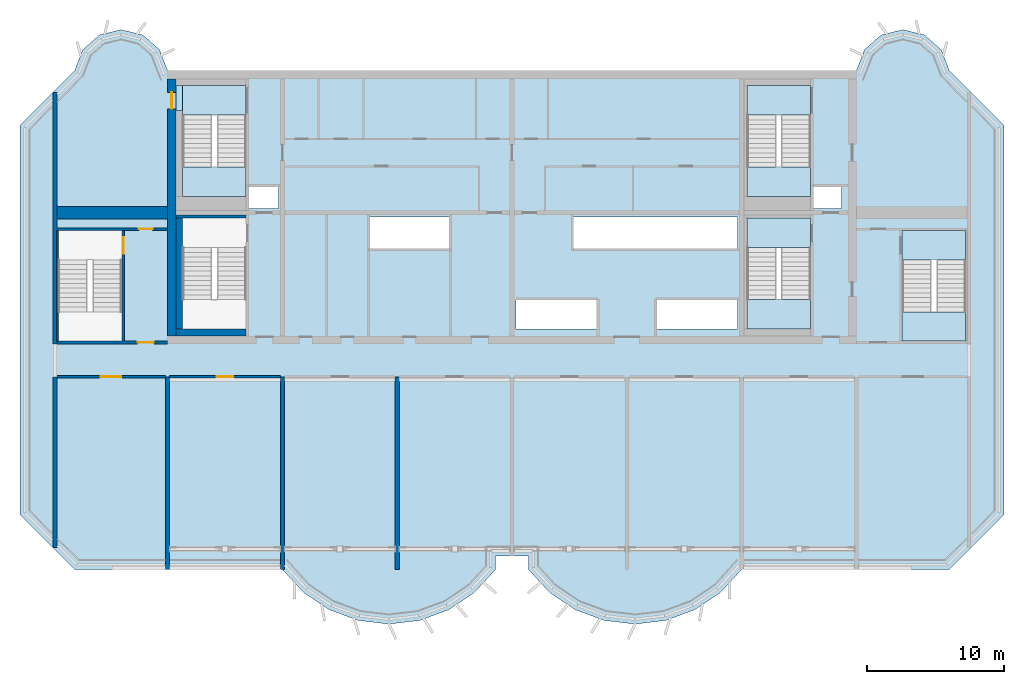
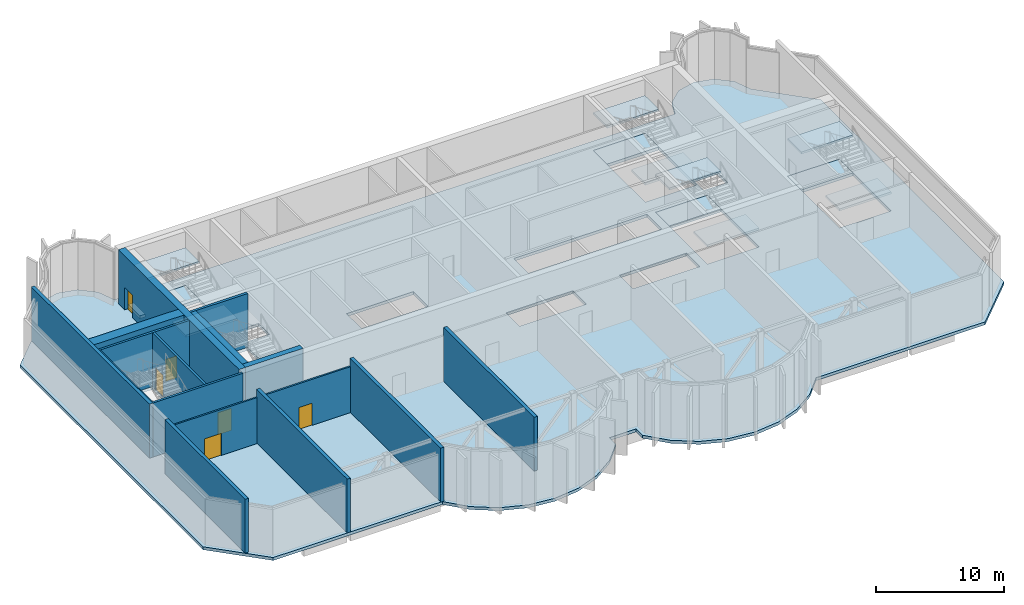
# One storey, part 2 of 11: 16 walls, 14 slabs, 6 doors, 6 openings, 4 elements without a shape of their own.
"""IFC4 building model written with IfcOpenShell, lengths in metres."""

from ifc_helpers import new_model, si_unit, direction, frame, frame_2d, origin, place, context, subcontext, project, spatial, polyline, rectangle, outline, extrude, source, transform, mapped, material, layer, layer_set, type_object, element, fill, aggregate, save


model = new_model("IFC4")

# Units and contexts
model_context = context("Model", 3, precision=1e-05, world=origin(), true_north=direction((0.0, 1.0)))
body_context = subcontext(model_context, "Body", "Model", "MODEL_VIEW")
ifc_project = project(units=[si_unit("LENGTHUNIT", "METRE"), si_unit("AREAUNIT", "SQUARE_METRE"), si_unit("VOLUMEUNIT", "CUBIC_METRE"), si_unit("PLANEANGLEUNIT", "RADIAN"), si_unit("MASSUNIT", "GRAM", prefix="KILO")], contexts=[model_context])

# Site, building, storey
site_placement = place(None, origin())
site = spatial("IfcSite", under=ifc_project, at=site_placement, CompositionType="ELEMENT")
building_placement = place(site_placement, origin())
building = spatial("IfcBuilding", under=site, at=building_placement, Name="Vanashikhar Sky Hotel", CompositionType="ELEMENT")
storey_placement = place(building_placement, frame((0.0, 0.0, 264.699951171875)))
storey = spatial("IfcBuildingStorey", under=building, at=storey_placement, Name="L64", CompositionType="ELEMENT", Elevation=264.699951171875)

# Slabs
ifc_material_1 = material(Name="Concrete M40", Category="concrete")
ifc_layer_1 = layer(ifc_material_1, 0.280029296875)
ifc_layer_set_1 = layer_set([ifc_layer_1], Name="Floor slab 280 mm")
slab_type_1 = type_object("IfcSlabType", Name="Floor slab 280 mm", PredefinedType="FLOOR", material=ifc_layer_set_1)
shared_shape_1 = source(origin(), body_context, "Body", "SweptSolid", [
    extrude(outline(polyline([(49.199951171875, 5.5), (49.199951171875, 6.5), (51.60009765625, 6.5), (51.60009765625, 5.5), (53.133056640625, 3.825927734375), (55.01708984375, 2.55810546875), (57.14599609375, 1.76806640625), (59.39990234375, 1.5), (61.654052734375, 1.76806640625), (63.782958984375, 2.55810546875), (65.6669921875, 3.825927734375), (67.199951171875, 5.5), (82.39990234375, 5.5), (86.39990234375, 9.5), (86.39990234375, 38.0), (82.39990234375, 42.0), (81.81494140625, 43.527099609375), (80.587890625, 44.610107421875), (79.0, 45.0), (77.412109375, 44.610107421875), (76.18505859375, 43.527099609375), (75.60009765625, 42.0), (25.199951171875, 42.0), (24.614990234375, 43.527099609375), (23.387939453125, 44.610107421875), (21.800048828125, 45.0), (20.2119140625, 44.610107421875), (18.985107421875, 43.527099609375), (18.39990234375, 42.0), (14.39990234375, 38.0), (14.39990234375, 9.5), (18.39990234375, 5.5), (33.60009765625, 5.5), (35.133056640625, 3.825927734375), (37.01708984375, 2.55810546875), (39.14599609375, 1.76806640625), (41.39990234375, 1.5), (43.654052734375, 1.76806640625), (45.782958984375, 2.55810546875), (47.6669921875, 3.825927734375), (49.199951171875, 5.5)]), holes=[polyline([(33.300048828125, 33.60009765625), (31.050048828125, 33.60009765625), (31.050048828125, 31.89990234375), (33.300048828125, 31.89990234375), (33.300048828125, 33.60009765625)]), polyline([(39.89990234375, 31.300048828125), (39.89990234375, 29.0), (45.89990234375, 29.0), (45.89990234375, 31.300048828125), (39.89990234375, 31.300048828125)]), polyline([(50.699951171875, 25.199951171875), (50.699951171875, 23.10009765625), (56.699951171875, 23.10009765625), (56.699951171875, 25.199951171875), (50.699951171875, 25.199951171875)]), polyline([(66.89990234375, 29.0), (66.89990234375, 31.300048828125), (54.89990234375, 31.300048828125), (54.89990234375, 29.0), (66.89990234375, 29.0)]), polyline([(60.89990234375, 25.199951171875), (60.89990234375, 23.10009765625), (66.89990234375, 23.10009765625), (66.89990234375, 25.199951171875), (60.89990234375, 25.199951171875)]), polyline([(74.5, 33.60009765625), (72.35009765625, 33.60009765625), (72.35009765625, 31.89990234375), (74.5, 31.89990234375), (74.5, 33.60009765625)]), polyline([(30.949951171875, 23.10009765625), (30.949951171875, 31.199951171875), (26.300048828125, 31.199951171875), (26.300048828125, 23.10009765625), (30.949951171875, 23.10009765625)]), polyline([(72.25, 23.10009765625), (72.25, 31.199951171875), (67.60009765625, 31.199951171875), (67.60009765625, 23.10009765625), (72.25, 23.10009765625)]), polyline([(25.800048828125, 40.90087890625), (25.800048828125, 39.09912109375), (26.300048828125, 39.09912109375), (26.300048828125, 32.800048828125), (30.949951171875, 32.800048828125), (30.949951171875, 40.89990234375), (25.800048828125, 40.90087890625)]), polyline([(72.25, 32.800048828125), (72.25, 40.89990234375), (67.60009765625, 40.89990234375), (67.60009765625, 32.800048828125), (72.25, 32.800048828125)]), polyline([(83.60009765625, 22.199951171875), (83.60009765625, 30.300048828125), (78.949951171875, 30.300048828125), (78.949951171875, 22.199951171875), (83.60009765625, 22.199951171875)]), polyline([(21.85009765625, 22.199951171875), (21.85009765625, 30.300048828125), (17.199951171875, 30.300048828125), (17.199951171875, 22.199951171875), (21.85009765625, 22.199951171875)])]), origin(), (0.0, 0.0, 1.0), 0.280029296875),
])
slab_1_placement = place(storey_placement, frame((0.0, 0.0, -0.280029296875)))
element("IfcSlab", 1, at=slab_1_placement, inside=storey, type_object=slab_type_1, Name="Floor slab L64", PredefinedType="FLOOR", context=body_context, shape_type="MappedRepresentation", body=[
    mapped(shared_shape_1, transform((0.0, 0.0, 0.0), scale=1.0)),
])
ifc_layer_2 = layer(ifc_material_1, 0.280029296875)
ifc_layer_set_2 = layer_set([ifc_layer_2], Name="Stair floor landing 280")
slab_type_2 = type_object("IfcSlabType", Name="Stair floor landing 280", PredefinedType="LANDING", material=ifc_layer_set_2)
shared_shape_2 = source(origin(), body_context, "Body", "SweptSolid", [
    extrude(outline(polyline([(25.800048828125, 39.10009765625), (26.300048828125, 39.10009765625), (26.300048828125, 40.89990234375), (25.800048828125, 40.89990234375), (25.800048828125, 39.10009765625)])), origin(), (0.0, 0.0, 1.0), 0.280029296875),
])
slab_2_placement = place(storey_placement, frame((0.0, 0.0, -0.280029296875)))
element("IfcSlab", 2, at=slab_2_placement, inside=storey, type_object=slab_type_2, Name="Stair floor landing", PredefinedType="LANDING", context=body_context, shape_type="MappedRepresentation", body=[
    mapped(shared_shape_2, transform((0.0, 0.0, 0.0), scale=1.0)),
])

# Stair, slabs
stair_type = type_object("IfcStairType", Name="Exit stair 2150", PredefinedType="DOUBLE_RETURN_STAIR", material=ifc_material_1)
stair_1_placement = place(storey_placement, origin())
stair_1 = element("IfcStair", 3, at=stair_1_placement, inside=storey, type_object=stair_type, Name="L64 Exit stair 2", PredefinedType="DOUBLE_RETURN_STAIR")
ifc_layer_3 = layer(ifc_material_1, 0.199951171875)
ifc_layer_set_3 = layer_set([ifc_layer_3], Name="Stair landing 200")
slab_type_3 = type_object("IfcSlabType", Name="Stair landing 200", PredefinedType="LANDING", material=ifc_layer_set_3)
shared_shape_3 = source(origin(), body_context, "Body", "SweptSolid", [
    extrude(outline(polyline([(72.25, 29.050048828125), (72.25, 31.199951171875), (67.60009765625, 31.199951171875), (67.60009765625, 29.050048828125), (72.25, 29.050048828125)])), origin(), (0.0, 0.0, 1.0), 0.199951171875),
])
slab_3_placement = place(storey_placement, frame((0.0, 0.0, 3.400146484375)))
slab_3 = element("IfcSlab", 4, at=slab_3_placement, type_object=slab_type_3, Name="ST-C2 landing 2", PredefinedType="LANDING", context=body_context, shape_type="MappedRepresentation", body=[
    mapped(shared_shape_3, transform((0.0, 0.0, 0.0), scale=1.0)),
])
shared_shape_4 = source(origin(), body_context, "Body", "SweptSolid", [
    extrude(outline(polyline([(72.25, 23.10009765625), (72.25, 25.25), (67.60009765625, 25.25), (67.60009765625, 23.10009765625), (72.25, 23.10009765625)])), origin(), (0.0, 0.0, 1.0), 0.199951171875),
])
slab_4_placement = place(storey_placement, frame((0.0, 0.0, 1.60009765625)))
slab_4 = element("IfcSlab", 5, at=slab_4_placement, type_object=slab_type_3, Name="ST-C2 landing 1", PredefinedType="LANDING", context=body_context, shape_type="MappedRepresentation", body=[
    mapped(shared_shape_4, transform((0.0, 0.0, 0.0), scale=1.0)),
])
aggregate(stair_1, [slab_4, slab_3])

# Slab
shared_shape_5 = source(origin(), body_context, "Body", "SweptSolid", [
    extrude(outline(polyline([(72.25, 29.050048828125), (72.25, 31.199951171875), (67.60009765625, 31.199951171875), (67.60009765625, 29.050048828125), (72.25, 29.050048828125)])), origin(), (0.0, 0.0, 1.0), 0.280029296875),
])
slab_5_placement = place(storey_placement, frame((0.0, 0.0, -0.280029296875)))
element("IfcSlab", 6, at=slab_5_placement, inside=storey, type_object=slab_type_2, Name="Exit stair 2 floor landing", PredefinedType="LANDING", context=body_context, shape_type="MappedRepresentation", body=[
    mapped(shared_shape_5, transform((0.0, 0.0, 0.0), scale=1.0)),
])

# Stair, slabs
stair_2_placement = place(storey_placement, origin())
stair_2 = element("IfcStair", 7, at=stair_2_placement, inside=storey, type_object=stair_type, Name="L64 Exit stair 4", PredefinedType="DOUBLE_RETURN_STAIR")
shared_shape_6 = source(origin(), body_context, "Body", "SweptSolid", [
    extrude(outline(polyline([(83.60009765625, 28.14990234375), (83.60009765625, 30.300048828125), (78.949951171875, 30.300048828125), (78.949951171875, 28.14990234375), (83.60009765625, 28.14990234375)])), origin(), (0.0, 0.0, 1.0), 0.199951171875),
])
slab_6_placement = place(storey_placement, frame((0.0, 0.0, 3.400146484375)))
slab_6 = element("IfcSlab", 8, at=slab_6_placement, type_object=slab_type_3, Name="ST-E landing 2", PredefinedType="LANDING", context=body_context, shape_type="MappedRepresentation", body=[
    mapped(shared_shape_6, transform((0.0, 0.0, 0.0), scale=1.0)),
])
shared_shape_7 = source(origin(), body_context, "Body", "SweptSolid", [
    extrude(outline(polyline([(83.60009765625, 22.199951171875), (83.60009765625, 24.35009765625), (78.949951171875, 24.35009765625), (78.949951171875, 22.199951171875), (83.60009765625, 22.199951171875)])), origin(), (0.0, 0.0, 1.0), 0.199951171875),
])
slab_7_placement = place(storey_placement, frame((0.0, 0.0, 1.60009765625)))
slab_7 = element("IfcSlab", 9, at=slab_7_placement, type_object=slab_type_3, Name="ST-E landing 1", PredefinedType="LANDING", context=body_context, shape_type="MappedRepresentation", body=[
    mapped(shared_shape_7, transform((0.0, 0.0, 0.0), scale=1.0)),
])
aggregate(stair_2, [slab_7, slab_6])

# Slab
shared_shape_8 = source(origin(), body_context, "Body", "SweptSolid", [
    extrude(outline(polyline([(83.60009765625, 28.14990234375), (83.60009765625, 30.300048828125), (78.949951171875, 30.300048828125), (78.949951171875, 28.14990234375), (83.60009765625, 28.14990234375)])), origin(), (0.0, 0.0, 1.0), 0.280029296875),
])
slab_8_placement = place(storey_placement, frame((0.0, 0.0, -0.280029296875)))
element("IfcSlab", 10, at=slab_8_placement, inside=storey, type_object=slab_type_2, Name="Exit stair 4 floor landing", PredefinedType="LANDING", context=body_context, shape_type="MappedRepresentation", body=[
    mapped(shared_shape_8, transform((0.0, 0.0, 0.0), scale=1.0)),
])

# Stair, slabs
stair_3_placement = place(storey_placement, origin())
stair_3 = element("IfcStair", 11, at=stair_3_placement, inside=storey, type_object=stair_type, Name="L64 Exit stair 5", PredefinedType="DOUBLE_RETURN_STAIR")
shared_shape_9 = source(origin(), body_context, "Body", "SweptSolid", [
    extrude(outline(polyline([(30.949951171875, 38.75), (30.949951171875, 40.89990234375), (26.300048828125, 40.89990234375), (26.300048828125, 38.75), (30.949951171875, 38.75)])), origin(), (0.0, 0.0, 1.0), 0.199951171875),
])
slab_9_placement = place(storey_placement, frame((0.0, 0.0, 3.400146484375)))
slab_9 = element("IfcSlab", 12, at=slab_9_placement, type_object=slab_type_3, Name="ST-C3 landing 2", PredefinedType="LANDING", context=body_context, shape_type="MappedRepresentation", body=[
    mapped(shared_shape_9, transform((0.0, 0.0, 0.0), scale=1.0)),
])
shared_shape_10 = source(origin(), body_context, "Body", "SweptSolid", [
    extrude(outline(polyline([(30.949951171875, 32.800048828125), (30.949951171875, 34.949951171875), (26.300048828125, 34.949951171875), (26.300048828125, 32.800048828125), (30.949951171875, 32.800048828125)])), origin(), (0.0, 0.0, 1.0), 0.199951171875),
])
slab_10_placement = place(storey_placement, frame((0.0, 0.0, 1.60009765625)))
slab_10 = element("IfcSlab", 13, at=slab_10_placement, type_object=slab_type_3, Name="ST-C3 landing 1", PredefinedType="LANDING", context=body_context, shape_type="MappedRepresentation", body=[
    mapped(shared_shape_10, transform((0.0, 0.0, 0.0), scale=1.0)),
])
aggregate(stair_3, [slab_10, slab_9])

# Slab
shared_shape_11 = source(origin(), body_context, "Body", "SweptSolid", [
    extrude(outline(polyline([(30.949951171875, 38.75), (30.949951171875, 40.89990234375), (26.300048828125, 40.89990234375), (26.300048828125, 38.75), (30.949951171875, 38.75)])), origin(), (0.0, 0.0, 1.0), 0.280029296875),
])
slab_11_placement = place(storey_placement, frame((0.0, 0.0, -0.280029296875)))
element("IfcSlab", 14, at=slab_11_placement, inside=storey, type_object=slab_type_2, Name="Exit stair 5 floor landing", PredefinedType="LANDING", context=body_context, shape_type="MappedRepresentation", body=[
    mapped(shared_shape_11, transform((0.0, 0.0, 0.0), scale=1.0)),
])

# Stair, slabs
stair_4_placement = place(storey_placement, origin())
stair_4 = element("IfcStair", 15, at=stair_4_placement, inside=storey, type_object=stair_type, Name="L64 Exit stair 6", PredefinedType="DOUBLE_RETURN_STAIR")
shared_shape_12 = source(origin(), body_context, "Body", "SweptSolid", [
    extrude(outline(polyline([(72.25, 38.75), (72.25, 40.89990234375), (67.60009765625, 40.89990234375), (67.60009765625, 38.75), (72.25, 38.75)])), origin(), (0.0, 0.0, 1.0), 0.199951171875),
])
slab_12_placement = place(storey_placement, frame((0.0, 0.0, 3.400146484375)))
slab_12 = element("IfcSlab", 16, at=slab_12_placement, type_object=slab_type_3, Name="ST-C4 landing 2", PredefinedType="LANDING", context=body_context, shape_type="MappedRepresentation", body=[
    mapped(shared_shape_12, transform((0.0, 0.0, 0.0), scale=1.0)),
])
shared_shape_13 = source(origin(), body_context, "Body", "SweptSolid", [
    extrude(outline(polyline([(72.25, 32.800048828125), (72.25, 34.949951171875), (67.60009765625, 34.949951171875), (67.60009765625, 32.800048828125), (72.25, 32.800048828125)])), origin(), (0.0, 0.0, 1.0), 0.199951171875),
])
slab_13_placement = place(storey_placement, frame((0.0, 0.0, 1.60009765625)))
slab_13 = element("IfcSlab", 17, at=slab_13_placement, type_object=slab_type_3, Name="ST-C4 landing 1", PredefinedType="LANDING", context=body_context, shape_type="MappedRepresentation", body=[
    mapped(shared_shape_13, transform((0.0, 0.0, 0.0), scale=1.0)),
])
aggregate(stair_4, [slab_13, slab_12])

# Slab
shared_shape_14 = source(origin(), body_context, "Body", "SweptSolid", [
    extrude(outline(polyline([(72.25, 38.75), (72.25, 40.89990234375), (67.60009765625, 40.89990234375), (67.60009765625, 38.75), (72.25, 38.75)])), origin(), (0.0, 0.0, 1.0), 0.280029296875),
])
slab_14_placement = place(storey_placement, frame((0.0, 0.0, -0.280029296875)))
element("IfcSlab", 18, at=slab_14_placement, inside=storey, type_object=slab_type_2, Name="Exit stair 6 floor landing", PredefinedType="LANDING", context=body_context, shape_type="MappedRepresentation", body=[
    mapped(shared_shape_14, transform((0.0, 0.0, 0.0), scale=1.0)),
])

# Walls
ifc_material_2 = material(Name="Concrete M60", Category="concrete")
ifc_layer_4 = layer(ifc_material_2, 0.300048828125)
ifc_layer_set_4 = layer_set([ifc_layer_4], Name="RC shear wall 300 Concrete M60")
wall_type_1 = type_object("IfcWallType", Name="RC shear wall 300 Concrete M60", PredefinedType="SHEAR", material=ifc_layer_set_4)
shared_shape_15 = source(origin(), body_context, "Body", "SweptSolid", [
    extrude(rectangle(XDim=14.10009765625, YDim=0.300048828125, at=frame_2d((7.050048828125, 0.0))), origin(), (0.0, 0.0, 1.0), 5.1201171875),
])
for number, where, z_axis, x_axis, name in (
    (19, (25.199951171875, 5.5, 0.0), (0.0, 0.0, 1.0), (0.0, 1.0, 0.0), "CW-L64-XW04-1"),
    (20, (33.60009765625, 5.5, 0.0), (0.0, 0.0, 1.0), (0.0, 1.0, 0.0), "CW-L64-XW05-1"),
    (21, (42.0, 5.5, 0.0), (0.0, 0.0, 1.0), (0.0, 1.0, 0.0), "CW-L64-XW06-1"),
):
    element("IfcWall", number, at=place(storey_placement, frame(where, z_axis=z_axis, x_axis=x_axis)), inside=storey, type_object=wall_type_1, Name=name, PredefinedType="SHEAR", context=body_context, shape_type="MappedRepresentation", body=[
        mapped(shared_shape_15, transform((0.0, 0.0, 0.0), scale=1.0)),
    ])

# Wall, opening, door
ifc_layer_5 = layer(ifc_material_2, 0.60009765625)
ifc_layer_set_5 = layer_set([ifc_layer_5], Name="RC core shell wall 600 Concrete M60")
wall_type_2 = type_object("IfcWallType", Name="RC core shell wall 600 Concrete M60", PredefinedType="SHEAR", material=ifc_layer_set_5)
shared_shape_16 = source(origin(), body_context, "Body", "SweptSolid", [
    extrude(rectangle(XDim=18.7998046875, YDim=0.60009765625, at=frame_2d((9.39990234375, 0.0))), origin(), (0.0, 0.0, 1.0), 5.1201171875),
])
wall_1_placement = place(storey_placement, frame((25.5, 22.60009765625, 0.0), z_axis=(0.0, 0.0, 1.0), x_axis=(0.0, 1.0, 0.0)))
wall_1 = element("IfcWall", 22, at=wall_1_placement, inside=storey, type_object=wall_type_2, Name="KW-L64-KW", PredefinedType="SHEAR", context=body_context, shape_type="MappedRepresentation", body=[
    mapped(shared_shape_16, transform((0.0, 0.0, 0.0), scale=1.0)),
])
shared_shape_17 = source(origin(), body_context, "Body", "SweptSolid", [
    extrude(rectangle(XDim=1.199951171875, YDim=2.10009765625, at=frame_2d((0.60009765625, 1.050048828125))), frame((0.0, 0.31005859375, 0.0), z_axis=(0.0, -1.0, 0.0), x_axis=(1.0, 0.0, 0.0)), (0.0, 0.0, 1.0), 0.6201171875),
])
opening_1_placement = place(wall_1_placement, frame((16.60009765625, 0.0, 0.0)))
opening_1 = element("IfcOpeningElement", 23, at=opening_1_placement, cuts=wall_1, Name="Opening DC-4-D", PredefinedType="OPENING", context=body_context, shape_type="MappedRepresentation", body=[
    mapped(shared_shape_17, transform((0.0, 0.0, 0.0), scale=1.0)),
])
ifc_material_3 = material(Name="Steel", Category="steel")
door_type_1 = type_object("IfcDoorType", Name="Service door 1200 FD120", OperationType="NOTDEFINED", PredefinedType="DOOR", material=ifc_material_3)
shared_shape_18 = source(origin(), body_context, "Body", "SweptSolid", [
    extrude(rectangle(XDim=1.199951171875, YDim=2.10009765625, at=frame_2d((0.60009765625, 1.050048828125))), frame((0.0, 0.02490234375, 0.0), z_axis=(0.0, -1.0, 0.0), x_axis=(1.0, 0.0, 0.0)), (0.0, 0.0, 1.0), 0.050048828125),
])
door_1_placement = place(opening_1_placement, origin())
door_1 = element("IfcDoor", 24, at=door_1_placement, inside=storey, type_object=door_type_1, Name="Service door 1200 FD120", OperationType="SINGLE_SWING_RIGHT", OverallHeight=2.10009765625, OverallWidth=1.199951171875, PredefinedType="DOOR", context=body_context, shape_type="MappedRepresentation", body=[
    mapped(shared_shape_18, transform((0.0, 0.0, 0.0), scale=1.0)),
])
fill(opening_1, door_1)

# Walls
shared_shape_19 = source(origin(), body_context, "Body", "SweptSolid", [
    extrude(rectangle(XDim=12.5, YDim=0.300048828125, at=frame_2d((6.25, 0.0))), origin(), (0.0, 0.0, 1.0), 5.1201171875),
])
wall_2_placement = place(storey_placement, frame((16.949951171875, 7.10009765625, 0.0), z_axis=(0.0, 0.0, 1.0), x_axis=(0.0, 1.0, 0.0)))
element("IfcWall", 25, at=wall_2_placement, inside=storey, type_object=wall_type_1, Name="CW-L64-XW03-1", PredefinedType="SHEAR", context=body_context, shape_type="MappedRepresentation", body=[
    mapped(shared_shape_19, transform((0.0, 0.0, 0.0), scale=1.0)),
])
shared_shape_20 = source(origin(), body_context, "Body", "SweptSolid", [
    extrude(rectangle(XDim=18.39990234375, YDim=0.300048828125, at=frame_2d((9.199951171875, 0.0))), origin(), (0.0, 0.0, 1.0), 5.1201171875),
])
wall_3_placement = place(storey_placement, frame((16.949951171875, 22.0, 0.0), z_axis=(0.0, 0.0, 1.0), x_axis=(0.0, 1.0, 0.0)))
element("IfcWall", 26, at=wall_3_placement, inside=storey, type_object=wall_type_1, Name="CW-L64-XW03-2", PredefinedType="SHEAR", context=body_context, shape_type="MappedRepresentation", body=[
    mapped(shared_shape_20, transform((0.0, 0.0, 0.0), scale=1.0)),
])
ifc_layer_6 = layer(ifc_material_2, 0.89990234375)
ifc_layer_set_6 = layer_set([ifc_layer_6], Name="RC outrigger wall 900 Concrete M60")
wall_type_3 = type_object("IfcWallType", Name="RC outrigger wall 900 Concrete M60", PredefinedType="SHEAR", material=ifc_layer_set_6)
shared_shape_21 = source(origin(), body_context, "Body", "SweptSolid", [
    extrude(rectangle(XDim=8.099853515625, YDim=0.89990234375, at=frame_2d((4.0498046875, 0.0))), origin(), (0.0, 0.0, 1.0), 5.1201171875),
])
wall_4_placement = place(storey_placement, frame((17.10009765625, 31.60009765625, 0.0), z_axis=(0.0, 0.0, 1.0), x_axis=(1.0, 0.0, 0.0)))
element("IfcWall", 27, at=wall_4_placement, inside=storey, type_object=wall_type_3, Name="OW-L64-01", PredefinedType="SHEAR", context=body_context, shape_type="MappedRepresentation", body=[
    mapped(shared_shape_21, transform((0.0, 0.0, 0.0), scale=1.0)),
])

# Wall, opening, door
ifc_material_4 = material(Name="Concrete M50", Category="concrete")
ifc_layer_7 = layer(ifc_material_4, 0.199951171875)
ifc_layer_set_7 = layer_set([ifc_layer_7], Name="Stair wall 200")
wall_type_4 = type_object("IfcWallType", Name="Stair wall 200", PredefinedType="SOLIDWALL", material=ifc_layer_set_7)
shared_shape_22 = source(origin(), body_context, "Body", "SweptSolid", [
    extrude(rectangle(XDim=8.2998046875, YDim=0.199951171875, at=frame_2d((4.14990234375, 0.0))), origin(), (0.0, 0.0, 1.0), 5.1201171875),
])
wall_5_placement = place(storey_placement, frame((21.949951171875, 22.10009765625, 0.0), z_axis=(0.0, 0.0, 1.0), x_axis=(0.0, 1.0, 0.0)))
wall_5 = element("IfcWall", 28, at=wall_5_placement, inside=storey, type_object=wall_type_4, Name="Stair wall 200", PredefinedType="SOLIDWALL", context=body_context, shape_type="MappedRepresentation", body=[
    mapped(shared_shape_22, transform((0.0, 0.0, 0.0), scale=1.0)),
])
shared_shape_23 = source(origin(), body_context, "Body", "SweptSolid", [
    extrude(rectangle(XDim=1.199951171875, YDim=2.10009765625, at=frame_2d((0.60009765625, 1.050048828125))), frame((0.0, 0.10986328125, 0.0), z_axis=(0.0, -1.0, 0.0), x_axis=(1.0, 0.0, 0.0)), (0.0, 0.0, 1.0), 0.219970703125),
])
opening_2_placement = place(wall_5_placement, frame((6.5, 0.0, 0.0)))
opening_2 = element("IfcOpeningElement", 29, at=opening_2_placement, cuts=wall_5, Name="Opening DC-1", PredefinedType="OPENING", context=body_context, shape_type="MappedRepresentation", body=[
    mapped(shared_shape_23, transform((0.0, 0.0, 0.0), scale=1.0)),
])
door_type_2 = type_object("IfcDoorType", Name="Stair door 1200 FD120", OperationType="NOTDEFINED", PredefinedType="DOOR", material=ifc_material_3)
door_2_placement = place(opening_2_placement, origin())
door_2 = element("IfcDoor", 30, at=door_2_placement, inside=storey, type_object=door_type_2, Name="Stair door 1200 FD120", OperationType="SINGLE_SWING_RIGHT", OverallHeight=2.10009765625, OverallWidth=1.199951171875, PredefinedType="DOOR", context=body_context, shape_type="MappedRepresentation", body=[
    mapped(shared_shape_18, transform((0.0, 0.0, 0.0), scale=1.0)),
])
fill(opening_2, door_2)

shared_shape_24 = source(origin(), body_context, "Body", "SweptSolid", [
    extrude(rectangle(XDim=8.099853515625, YDim=0.199951171875, at=frame_2d((4.0498046875, 0.0))), origin(), (0.0, 0.0, 1.0), 5.1201171875),
])
wall_6_placement = place(storey_placement, frame((17.10009765625, 22.10009765625, 0.0), z_axis=(0.0, 0.0, 1.0), x_axis=(1.0, 0.0, 0.0)))
wall_6 = element("IfcWall", 31, at=wall_6_placement, inside=storey, type_object=wall_type_4, Name="Stair wall 200", PredefinedType="SOLIDWALL", context=body_context, shape_type="MappedRepresentation", body=[
    mapped(shared_shape_24, transform((0.0, 0.0, 0.0), scale=1.0)),
])
opening_3_placement = place(wall_6_placement, frame((5.89990234375, 0.0, 0.0)))
opening_3 = element("IfcOpeningElement", 32, at=opening_3_placement, cuts=wall_6, Name="Opening DC-2", PredefinedType="OPENING", context=body_context, shape_type="MappedRepresentation", body=[
    mapped(shared_shape_23, transform((0.0, 0.0, 0.0), scale=1.0)),
])
door_type_3 = type_object("IfcDoorType", Name="Firefighting lobby door 1200 FD120", OperationType="NOTDEFINED", PredefinedType="DOOR", material=ifc_material_3)
door_3_placement = place(opening_3_placement, origin())
door_3 = element("IfcDoor", 33, at=door_3_placement, inside=storey, type_object=door_type_3, Name="Firefighting lobby door 1200 FD120", OperationType="SINGLE_SWING_RIGHT", OverallHeight=2.10009765625, OverallWidth=1.199951171875, PredefinedType="DOOR", context=body_context, shape_type="MappedRepresentation", body=[
    mapped(shared_shape_18, transform((0.0, 0.0, 0.0), scale=1.0)),
])
fill(opening_3, door_3)

wall_7_placement = place(storey_placement, frame((25.199951171875, 30.39990234375, 0.0), z_axis=(0.0, 0.0, 1.0), x_axis=(-1.0, 0.0, 0.0)))
wall_7 = element("IfcWall", 34, at=wall_7_placement, inside=storey, type_object=wall_type_4, Name="Stair wall 200", PredefinedType="SOLIDWALL", context=body_context, shape_type="MappedRepresentation", body=[
    mapped(shared_shape_24, transform((0.0, 0.0, 0.0), scale=1.0)),
])
shared_shape_25 = source(origin(), body_context, "Body", "SweptSolid", [
    extrude(rectangle(XDim=1.0, YDim=2.10009765625, at=frame_2d((0.5, 1.050048828125))), frame((0.0, 0.10986328125, 0.0), z_axis=(0.0, -1.0, 0.0), x_axis=(1.0, 0.0, 0.0)), (0.0, 0.0, 1.0), 0.219970703125),
])
opening_4_placement = place(wall_7_placement, frame((1.10009765625, 0.0, 0.0)))
opening_4 = element("IfcOpeningElement", 35, at=opening_4_placement, cuts=wall_7, Name="Opening DC-6", PredefinedType="OPENING", context=body_context, shape_type="MappedRepresentation", body=[
    mapped(shared_shape_25, transform((0.0, 0.0, 0.0), scale=1.0)),
])
door_type_4 = type_object("IfcDoorType", Name="Pocket door 1000 FD60", OperationType="NOTDEFINED", PredefinedType="DOOR", material=ifc_material_3)
shared_shape_26 = source(origin(), body_context, "Body", "SweptSolid", [
    extrude(rectangle(XDim=1.0, YDim=2.10009765625, at=frame_2d((0.5, 1.050048828125))), frame((0.0, 0.02490234375, 0.0), z_axis=(0.0, -1.0, 0.0), x_axis=(1.0, 0.0, 0.0)), (0.0, 0.0, 1.0), 0.050048828125),
])
door_4_placement = place(opening_4_placement, origin())
door_4 = element("IfcDoor", 36, at=door_4_placement, inside=storey, type_object=door_type_4, Name="Pocket door 1000 FD60", OperationType="SINGLE_SWING_RIGHT", OverallHeight=2.10009765625, OverallWidth=1.0, PredefinedType="DOOR", context=body_context, shape_type="MappedRepresentation", body=[
    mapped(shared_shape_26, transform((0.0, 0.0, 0.0), scale=1.0)),
])
fill(opening_4, door_4)

# Walls
ifc_layer_8 = layer(ifc_material_4, 0.5)
ifc_layer_set_8 = layer_set([ifc_layer_8], Name="Stair infill wall 500")
wall_type_5 = type_object("IfcWallType", Name="Stair infill wall 500", PredefinedType="SOLIDWALL", material=ifc_layer_set_8)
shared_shape_27 = source(origin(), body_context, "Body", "SweptSolid", [
    extrude(rectangle(XDim=5.14990234375, YDim=0.5, at=frame_2d((2.574951171875, 0.0))), origin(), (0.0, 0.0, 1.0), 5.1201171875),
])
wall_8_placement = place(storey_placement, frame((25.800048828125, 22.85009765625, 0.0), z_axis=(0.0, 0.0, 1.0), x_axis=(1.0, 0.0, 0.0)))
element("IfcWall", 37, at=wall_8_placement, inside=storey, type_object=wall_type_5, Name="Stair infill wall 500", PredefinedType="SOLIDWALL", context=body_context, shape_type="MappedRepresentation", body=[
    mapped(shared_shape_27, transform((0.0, 0.0, 0.0), scale=1.0)),
])
ifc_layer_9 = layer(ifc_material_4, 0.22509765625)
ifc_layer_set_9 = layer_set([ifc_layer_9], Name="Stair infill wall 225")
wall_type_6 = type_object("IfcWallType", Name="Stair infill wall 225", PredefinedType="SOLIDWALL", material=ifc_layer_set_9)
shared_shape_28 = source(origin(), body_context, "Body", "SweptSolid", [
    extrude(rectangle(XDim=5.14990234375, YDim=0.22509765625, at=frame_2d((2.574951171875, 0.0))), origin(), (0.0, 0.0, 1.0), 5.1201171875),
])
wall_9_placement = place(storey_placement, frame((25.800048828125, 31.31201171875, 0.0), z_axis=(0.0, 0.0, 1.0), x_axis=(1.0, 0.0, 0.0)))
element("IfcWall", 38, at=wall_9_placement, inside=storey, type_object=wall_type_6, Name="Stair infill wall 225", PredefinedType="SOLIDWALL", context=body_context, shape_type="MappedRepresentation", body=[
    mapped(shared_shape_28, transform((0.0, 0.0, 0.0), scale=1.0)),
])
shared_shape_29 = source(origin(), body_context, "Body", "SweptSolid", [
    extrude(rectangle(XDim=8.099853515625, YDim=0.5, at=frame_2d((4.0498046875, 0.0))), origin(), (0.0, 0.0, 1.0), 5.1201171875),
])
wall_10_placement = place(storey_placement, frame((26.050048828125, 23.10009765625, 0.0), z_axis=(0.0, 0.0, 1.0), x_axis=(0.0, 1.0, 0.0)))
element("IfcWall", 39, at=wall_10_placement, inside=storey, type_object=wall_type_5, Name="Stair infill wall 500", PredefinedType="SOLIDWALL", context=body_context, shape_type="MappedRepresentation", body=[
    mapped(shared_shape_29, transform((0.0, 0.0, 0.0), scale=1.0)),
])
ifc_layer_10 = layer(ifc_material_4, 0.10009765625)
ifc_layer_set_10 = layer_set([ifc_layer_10], Name="Stair infill wall 100")
wall_type_7 = type_object("IfcWallType", Name="Stair infill wall 100", PredefinedType="SOLIDWALL", material=ifc_layer_set_10)
shared_shape_30 = source(origin(), body_context, "Body", "SweptSolid", [
    extrude(rectangle(XDim=8.10009765625, YDim=0.10009765625, at=frame_2d((4.050048828125, 0.0))), origin(), (0.0, 0.0, 1.0), 5.1201171875),
])
wall_11_placement = place(storey_placement, frame((17.14990234375, 22.199951171875, 0.0), z_axis=(0.0, 0.0, 1.0), x_axis=(0.0, 1.0, 0.0)))
element("IfcWall", 40, at=wall_11_placement, inside=storey, type_object=wall_type_7, Name="Stair infill wall 100", PredefinedType="SOLIDWALL", context=body_context, shape_type="MappedRepresentation", body=[
    mapped(shared_shape_30, transform((0.0, 0.0, 0.0), scale=1.0)),
])

# Wall, opening, door
ifc_material_5 = material(Name="Gypsum board partition")
ifc_layer_11 = layer(ifc_material_5, 0.14990234375)
ifc_layer_set_11 = layer_set([ifc_layer_11], Name="Service partition 150")
wall_type_8 = type_object("IfcWallType", Name="Service partition 150", PredefinedType="PARTITIONING", material=ifc_layer_set_11)
shared_shape_31 = source(origin(), body_context, "Body", "SweptSolid", [
    extrude(rectangle(XDim=7.949951171875, YDim=0.14990234375, at=frame_2d((3.97509765625, 0.0))), origin(), (0.0, 0.0, 1.0), 4.3701171875),
])
wall_12_placement = place(storey_placement, frame((17.10009765625, 19.60009765625, 0.0), z_axis=(0.0, 0.0, 1.0), x_axis=(1.0, 0.0, 0.0)))
wall_12 = element("IfcWall", 41, at=wall_12_placement, inside=storey, type_object=wall_type_8, Name="Service partition 150", PredefinedType="PARTITIONING", context=body_context, shape_type="MappedRepresentation", body=[
    mapped(shared_shape_31, transform((0.0, 0.0, 0.0), scale=1.0)),
])
shared_shape_32 = source(origin(), body_context, "Body", "SweptSolid", [
    extrude(rectangle(XDim=1.5, YDim=2.10009765625, at=frame_2d((0.75, 1.050048828125))), frame((0.0, 0.0849609375, 0.0), z_axis=(0.0, -1.0, 0.0), x_axis=(1.0, 0.0, 0.0)), (0.0, 0.0, 1.0), 0.169921875),
])
opening_5_placement = place(wall_12_placement, frame((3.22509765625, 0.0, 0.0)))
opening_5 = element("IfcOpeningElement", 42, at=opening_5_placement, cuts=wall_12, Name="Opening DC-4-E", PredefinedType="OPENING", context=body_context, shape_type="MappedRepresentation", body=[
    mapped(shared_shape_32, transform((0.0, 0.0, 0.0), scale=1.0)),
])
door_type_5 = type_object("IfcDoorType", Name="Service door 1500 FD60", OperationType="NOTDEFINED", PredefinedType="DOOR", material=ifc_material_3)
shared_shape_33 = source(origin(), body_context, "Body", "SweptSolid", [
    extrude(rectangle(XDim=1.5, YDim=2.10009765625, at=frame_2d((0.75, 1.050048828125))), frame((0.0, 0.02490234375, 0.0), z_axis=(0.0, -1.0, 0.0), x_axis=(1.0, 0.0, 0.0)), (0.0, 0.0, 1.0), 0.050048828125),
])
door_5_placement = place(opening_5_placement, origin())
door_5 = element("IfcDoor", 43, at=door_5_placement, inside=storey, type_object=door_type_5, Name="Service door 1500 FD60", OperationType="SINGLE_SWING_RIGHT", OverallHeight=2.10009765625, OverallWidth=1.5, PredefinedType="DOOR", context=body_context, shape_type="MappedRepresentation", body=[
    mapped(shared_shape_33, transform((0.0, 0.0, 0.0), scale=1.0)),
])
fill(opening_5, door_5)

shared_shape_34 = source(origin(), body_context, "Body", "SweptSolid", [
    extrude(rectangle(XDim=8.099853515625, YDim=0.14990234375, at=frame_2d((4.0498046875, 0.0))), origin(), (0.0, 0.0, 1.0), 4.3701171875),
])
wall_13_placement = place(storey_placement, frame((25.35009765625, 19.60009765625, 0.0), z_axis=(0.0, 0.0, 1.0), x_axis=(1.0, 0.0, 0.0)))
wall_13 = element("IfcWall", 44, at=wall_13_placement, inside=storey, type_object=wall_type_8, Name="Service partition 150", PredefinedType="PARTITIONING", context=body_context, shape_type="MappedRepresentation", body=[
    mapped(shared_shape_34, transform((0.0, 0.0, 0.0), scale=1.0)),
])
shared_shape_35 = source(origin(), body_context, "Body", "SweptSolid", [
    extrude(rectangle(XDim=1.199951171875, YDim=2.10009765625, at=frame_2d((0.60009765625, 1.050048828125))), frame((0.0, 0.0849609375, 0.0), z_axis=(0.0, -1.0, 0.0), x_axis=(1.0, 0.0, 0.0)), (0.0, 0.0, 1.0), 0.169921875),
])
opening_6_placement = place(wall_13_placement, frame((3.449951171875, 0.0, 0.0)))
opening_6 = element("IfcOpeningElement", 45, at=opening_6_placement, cuts=wall_13, Name="Opening DC-4-D", PredefinedType="OPENING", context=body_context, shape_type="MappedRepresentation", body=[
    mapped(shared_shape_35, transform((0.0, 0.0, 0.0), scale=1.0)),
])
door_6_placement = place(opening_6_placement, origin())
door_6 = element("IfcDoor", 46, at=door_6_placement, inside=storey, type_object=door_type_1, Name="Service door 1200 FD120", OperationType="SINGLE_SWING_RIGHT", OverallHeight=2.10009765625, OverallWidth=1.199951171875, PredefinedType="DOOR", context=body_context, shape_type="MappedRepresentation", body=[
    mapped(shared_shape_18, transform((0.0, 0.0, 0.0), scale=1.0)),
])
fill(opening_6, door_6)

save(model, "model.ifc")
